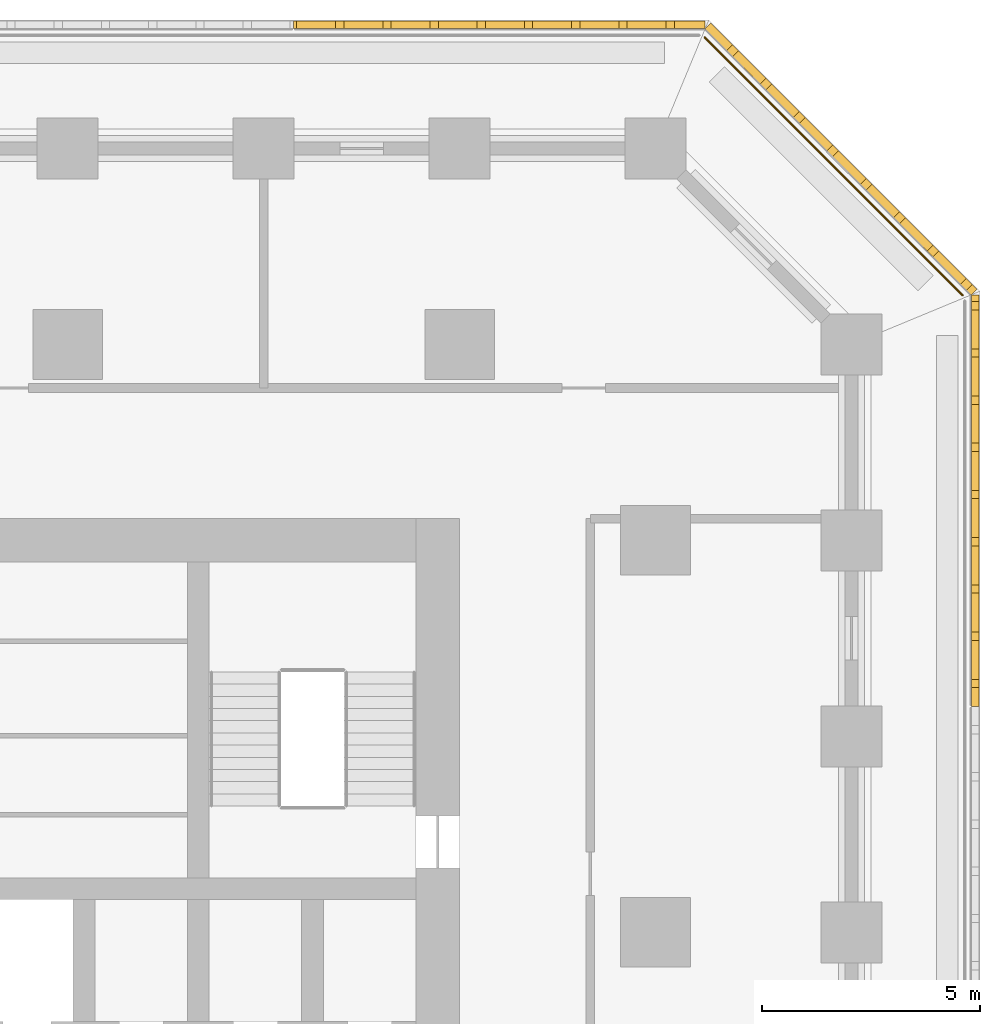
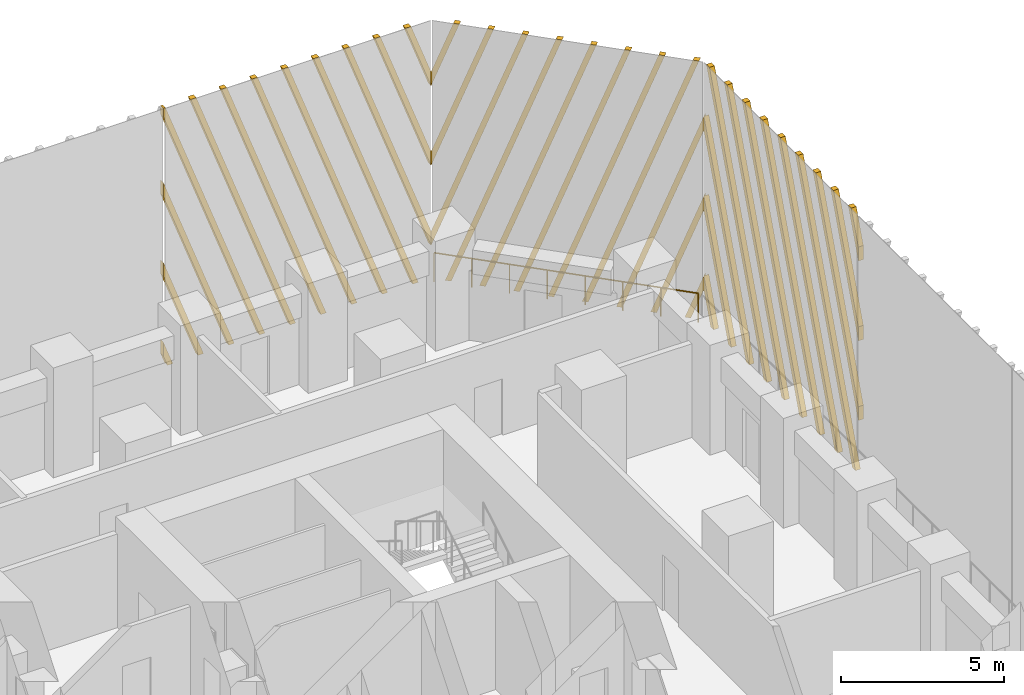
# One storey, part 11 of 12: 3 shading devices, 1 railing.
"""IFC4 building model written with IfcOpenShell, lengths in metres."""

from ifc_helpers import new_model, si_unit, direction, frame, origin, origin_2d, place, context, subcontext, project, spatial, polyline, circle, outline, extrude, source, transform, mapped, material, type_object, element, save


model = new_model("IFC4")

# Units and contexts
model_context = context("Model", 3, precision=1e-05, world=origin(), true_north=direction((0.0, 1.0)))
body_context = subcontext(model_context, "Body", "Model", "MODEL_VIEW")
ifc_project = project(units=[si_unit("LENGTHUNIT", "METRE"), si_unit("AREAUNIT", "SQUARE_METRE"), si_unit("VOLUMEUNIT", "CUBIC_METRE"), si_unit("PLANEANGLEUNIT", "RADIAN"), si_unit("MASSUNIT", "GRAM", prefix="KILO")], contexts=[model_context])

# Site, building, storey
site_placement = place(None, origin())
site = spatial("IfcSite", under=ifc_project, at=site_placement, CompositionType="ELEMENT")
building_placement = place(site_placement, origin())
building = spatial("IfcBuilding", under=site, at=building_placement, Name="Corbel Stack Research Tower", CompositionType="ELEMENT")
storey_placement = place(building_placement, frame((0.0, 0.0, 31.800048828125)))
storey = spatial("IfcBuildingStorey", under=building, at=storey_placement, Name="L07", CompositionType="ELEMENT", Elevation=31.800048828125)

# Railing
ifc_material_1 = material(Name="Powder-coated steel guard", Category="steel")
railing_type = type_object("IfcRailingType", Name="Steel and glass guard 1100", PredefinedType="GUARDRAIL", material=ifc_material_1)
railing_placement = place(storey_placement, frame((29.54931640625, 23.627685546875, 0.0)))
element("IfcRailing", 1, at=railing_placement, inside=storey, type_object=railing_type, Name="Loggia guard L07 NE", PredefinedType="GUARDRAIL", context=body_context, shape_type="SweptSolid", body=[
    extrude(circle(Radius=0.02392578125, at=origin_2d()), frame((0.0, 0.0, 1.076171875), z_axis=(-0.707106781187, 0.707106781187, 0.0), x_axis=(-0.707106781187, -0.707106781187, 0.0)), (0.0, 0.0, 1.0), 8.37451171875),
    extrude(circle(Radius=0.02099609375, at=origin_2d()), origin(), (0.0, 0.0, 1.0), 1.052001953125),
    extrude(circle(Radius=0.02099609375, at=origin_2d()), frame((-0.845947265625, 0.845947265625, 0.0)), (0.0, 0.0, 1.0), 1.052001953125),
    extrude(circle(Radius=0.02099609375, at=origin_2d()), frame((-1.69189453125, 1.69189453125, 0.0)), (0.0, 0.0, 1.0), 1.052001953125),
    extrude(circle(Radius=0.02099609375, at=origin_2d()), frame((-2.537841796875, 2.537841796875, 0.0)), (0.0, 0.0, 1.0), 1.052001953125),
    extrude(circle(Radius=0.02099609375, at=origin_2d()), frame((-3.3837890625, 3.3837890625, 0.0)), (0.0, 0.0, 1.0), 1.052001953125),
    extrude(circle(Radius=0.02099609375, at=origin_2d()), frame((-4.229736328125, 4.229736328125, 0.0)), (0.0, 0.0, 1.0), 1.052001953125),
    extrude(circle(Radius=0.02099609375, at=origin_2d()), frame((-5.07568359375, 5.07568359375, 0.0)), (0.0, 0.0, 1.0), 1.052001953125),
    extrude(circle(Radius=0.02099609375, at=origin_2d()), frame((-5.921630859375, 5.921630859375, 0.0)), (0.0, 0.0, 1.0), 1.052001953125),
])

# Shading devices
ifc_material_2 = material(Name="Precast terracotta", Category="masonry")
shading_device_type = type_object("IfcShadingDeviceType", Name="Terracotta screen panel", PredefinedType="USERDEFINED", material=ifc_material_2)
shared_shape_1 = source(origin(), body_context, "Body", "SweptSolid", [
    extrude(outline(polyline([(0.62451171875, 9.64990234375), (0.4345703125, 9.64990234375), (0.0, 8.456298828125), (0.0, 7.93408203125), (0.62451171875, 9.64990234375)])), frame((0.0, 0.0, 0.0), z_axis=(0.0, -1.0, 0.0), x_axis=(1.0, 0.0, 0.0)), (0.0, 0.0, 1.0), 0.179931640625),
    extrude(outline(polyline([(1.708984375, 9.64990234375), (1.51904296875, 9.64990234375), (0.0, 5.476318359375), (0.0, 4.9541015625), (1.708984375, 9.64990234375)])), frame((0.0, 0.0, 0.0), z_axis=(0.0, -1.0, 0.0), x_axis=(1.0, 0.0, 0.0)), (0.0, 0.0, 1.0), 0.179931640625),
    extrude(outline(polyline([(2.793701171875, 9.64990234375), (2.603759765625, 9.64990234375), (0.0, 2.49609375), (0.0, 1.97412109375), (2.793701171875, 9.64990234375)])), frame((0.0, 0.0, 0.0), z_axis=(0.0, -1.0, 0.0), x_axis=(1.0, 0.0, 0.0)), (0.0, 0.0, 1.0), 0.179931640625),
    extrude(outline(polyline([(0.3662109375, 0.0), (3.87841796875, 9.64990234375), (3.6884765625, 9.64990234375), (0.17626953125, 0.0), (0.3662109375, 0.0)])), frame((0.0, 0.0, 0.0), z_axis=(0.0, -1.0, 0.0), x_axis=(1.0, 0.0, 0.0)), (0.0, 0.0, 1.0), 0.179931640625),
    extrude(outline(polyline([(1.45068359375, 0.0), (4.963134765625, 9.64990234375), (4.773193359375, 9.64990234375), (1.2607421875, 0.0), (1.45068359375, 0.0)])), frame((0.0, 0.0, 0.0), z_axis=(0.0, -1.0, 0.0), x_axis=(1.0, 0.0, 0.0)), (0.0, 0.0, 1.0), 0.179931640625),
    extrude(outline(polyline([(2.535400390625, 0.0), (6.0478515625, 9.64990234375), (5.85791015625, 9.64990234375), (2.345458984375, 0.0), (2.535400390625, 0.0)])), frame((0.0, 0.0, 0.0), z_axis=(0.0, -1.0, 0.0), x_axis=(1.0, 0.0, 0.0)), (0.0, 0.0, 1.0), 0.179931640625),
    extrude(outline(polyline([(3.6201171875, 0.0), (7.132568359375, 9.64990234375), (6.9423828125, 9.64990234375), (3.43017578125, 0.0), (3.6201171875, 0.0)])), frame((0.0, 0.0, 0.0), z_axis=(0.0, -1.0, 0.0), x_axis=(1.0, 0.0, 0.0)), (0.0, 0.0, 1.0), 0.179931640625),
    extrude(outline(polyline([(4.704833984375, 0.0), (8.217041015625, 9.64990234375), (8.027099609375, 9.64990234375), (4.514892578125, 0.0), (4.704833984375, 0.0)])), frame((0.0, 0.0, 0.0), z_axis=(0.0, -1.0, 0.0), x_axis=(1.0, 0.0, 0.0)), (0.0, 0.0, 1.0), 0.179931640625),
    extrude(outline(polyline([(5.78955078125, 0.0), (9.3017578125, 9.64990234375), (9.11181640625, 9.64990234375), (5.599609375, 0.0), (5.78955078125, 0.0)])), frame((0.0, 0.0, 0.0), z_axis=(0.0, -1.0, 0.0), x_axis=(1.0, 0.0, 0.0)), (0.0, 0.0, 1.0), 0.179931640625),
    extrude(outline(polyline([(6.874267578125, 0.0), (9.45556640625, 7.092529296875), (9.45556640625, 7.614501953125), (6.68408203125, 0.0), (6.874267578125, 0.0)])), frame((0.0, 0.0, 0.0), z_axis=(0.0, -1.0, 0.0), x_axis=(1.0, 0.0, 0.0)), (0.0, 0.0, 1.0), 0.179931640625),
    extrude(outline(polyline([(7.958740234375, 0.0), (9.45556640625, 4.1123046875), (9.45556640625, 4.634521484375), (7.768798828125, 0.0), (7.958740234375, 0.0)])), frame((0.0, 0.0, 0.0), z_axis=(0.0, -1.0, 0.0), x_axis=(1.0, 0.0, 0.0)), (0.0, 0.0, 1.0), 0.179931640625),
    extrude(outline(polyline([(9.04345703125, 0.0), (9.45556640625, 1.13232421875), (9.45556640625, 1.654296875), (8.853515625, 0.0), (9.04345703125, 0.0)])), frame((0.0, 0.0, 0.0), z_axis=(0.0, -1.0, 0.0), x_axis=(1.0, 0.0, 0.0)), (0.0, 0.0, 1.0), 0.179931640625),
])
shading_device_1_placement = place(storey_placement, frame((29.75, 14.18359375, 0.0), z_axis=(0.0, 0.0, 1.0), x_axis=(0.0, 1.0, 0.0)))
element("IfcShadingDevice", 2, at=shading_device_1_placement, inside=storey, type_object=shading_device_type, Name="Terracotta screen L07 E5", ObjectType="SCREEN", PredefinedType="USERDEFINED", context=body_context, shape_type="MappedRepresentation", body=[
    mapped(shared_shape_1, transform((0.0, 0.0, 0.0))),
])
shared_shape_2 = source(origin(), body_context, "Body", "SweptSolid", [
    extrude(outline(polyline([(0.60205078125, 0.0), (0.0, 1.654296875), (0.0, 1.13232421875), (0.412109375, 0.0), (0.60205078125, 0.0)])), frame((0.0, 0.0, 0.0), z_axis=(0.0, -1.0, 0.0), x_axis=(1.0, 0.0, 0.0)), (0.0, 0.0, 1.0), 0.179931640625),
    extrude(outline(polyline([(1.686767578125, 0.0), (0.0, 4.634521484375), (0.0, 4.1123046875), (1.496826171875, 0.0), (1.686767578125, 0.0)])), frame((0.0, 0.0, 0.0), z_axis=(0.0, -1.0, 0.0), x_axis=(1.0, 0.0, 0.0)), (0.0, 0.0, 1.0), 0.179931640625),
    extrude(outline(polyline([(2.771484375, 0.0), (0.0, 7.614501953125), (0.0, 7.092529296875), (2.58154296875, 0.0), (2.771484375, 0.0)])), frame((0.0, 0.0, 0.0), z_axis=(0.0, -1.0, 0.0), x_axis=(1.0, 0.0, 0.0)), (0.0, 0.0, 1.0), 0.179931640625),
    extrude(outline(polyline([(3.856201171875, 0.0), (0.34375, 9.64990234375), (0.15380859375, 9.64990234375), (3.666015625, 0.0), (3.856201171875, 0.0)])), frame((0.0, 0.0, 0.0), z_axis=(0.0, -1.0, 0.0), x_axis=(1.0, 0.0, 0.0)), (0.0, 0.0, 1.0), 0.179931640625),
    extrude(outline(polyline([(4.94091796875, 0.0), (1.428466796875, 9.64990234375), (1.238525390625, 9.64990234375), (4.750732421875, 0.0), (4.94091796875, 0.0)])), frame((0.0, 0.0, 0.0), z_axis=(0.0, -1.0, 0.0), x_axis=(1.0, 0.0, 0.0)), (0.0, 0.0, 1.0), 0.179931640625),
    extrude(outline(polyline([(6.025390625, 0.0), (2.51318359375, 9.64990234375), (2.3232421875, 9.64990234375), (5.83544921875, 0.0), (6.025390625, 0.0)])), frame((0.0, 0.0, 0.0), z_axis=(0.0, -1.0, 0.0), x_axis=(1.0, 0.0, 0.0)), (0.0, 0.0, 1.0), 0.179931640625),
    extrude(outline(polyline([(7.110107421875, 0.0), (3.597900390625, 9.64990234375), (3.40771484375, 9.64990234375), (6.920166015625, 0.0), (7.110107421875, 0.0)])), frame((0.0, 0.0, 0.0), z_axis=(0.0, -1.0, 0.0), x_axis=(1.0, 0.0, 0.0)), (0.0, 0.0, 1.0), 0.179931640625),
    extrude(outline(polyline([(8.19482421875, 0.0), (4.6826171875, 9.64990234375), (4.492431640625, 9.64990234375), (8.0048828125, 0.0), (8.19482421875, 0.0)])), frame((0.0, 0.0, 0.0), z_axis=(0.0, -1.0, 0.0), x_axis=(1.0, 0.0, 0.0)), (0.0, 0.0, 1.0), 0.179931640625),
    extrude(outline(polyline([(5.76708984375, 9.64990234375), (5.5771484375, 9.64990234375), (8.64208984375, 1.22900390625), (8.64208984375, 1.751220703125), (5.76708984375, 9.64990234375)])), frame((0.0, 0.0, 0.0), z_axis=(0.0, -1.0, 0.0), x_axis=(1.0, 0.0, 0.0)), (0.0, 0.0, 1.0), 0.179931640625),
    extrude(outline(polyline([(6.851806640625, 9.64990234375), (6.661865234375, 9.64990234375), (8.64208984375, 4.208984375), (8.64208984375, 4.731201171875), (6.851806640625, 9.64990234375)])), frame((0.0, 0.0, 0.0), z_axis=(0.0, -1.0, 0.0), x_axis=(1.0, 0.0, 0.0)), (0.0, 0.0, 1.0), 0.179931640625),
    extrude(outline(polyline([(7.9365234375, 9.64990234375), (7.74658203125, 9.64990234375), (8.64208984375, 7.189208984375), (8.64208984375, 7.711181640625), (7.9365234375, 9.64990234375)])), frame((0.0, 0.0, 0.0), z_axis=(0.0, -1.0, 0.0), x_axis=(1.0, 0.0, 0.0)), (0.0, 0.0, 1.0), 0.179931640625),
])
shading_device_2_placement = place(storey_placement, frame((29.75, 23.63916015625, 0.0), z_axis=(0.0, 0.0, 1.0), x_axis=(-0.707106781187, 0.707106781187, 0.0)))
element("IfcShadingDevice", 3, at=shading_device_2_placement, inside=storey, type_object=shading_device_type, Name="Terracotta screen L07 NE1", ObjectType="SCREEN", PredefinedType="USERDEFINED", context=body_context, shape_type="MappedRepresentation", body=[
    mapped(shared_shape_2, transform((0.0, 0.0, 0.0))),
])
shared_shape_3 = source(origin(), body_context, "Body", "SweptSolid", [
    extrude(outline(polyline([(0.8955078125, 9.64990234375), (0.70556640625, 9.64990234375), (0.0, 7.711181640625), (0.0, 7.189208984375), (0.8955078125, 9.64990234375)])), frame((0.0, 0.0, 0.0), z_axis=(0.0, -1.0, 0.0), x_axis=(1.0, 0.0, 0.0)), (0.0, 0.0, 1.0), 0.179931640625),
    extrude(outline(polyline([(1.980224609375, 9.64990234375), (1.790283203125, 9.64990234375), (0.0, 4.731201171875), (0.0, 4.208984375), (1.980224609375, 9.64990234375)])), frame((0.0, 0.0, 0.0), z_axis=(0.0, -1.0, 0.0), x_axis=(1.0, 0.0, 0.0)), (0.0, 0.0, 1.0), 0.179931640625),
    extrude(outline(polyline([(3.06494140625, 9.64990234375), (2.875, 9.64990234375), (0.0, 1.751220703125), (0.0, 1.22900390625), (3.06494140625, 9.64990234375)])), frame((0.0, 0.0, 0.0), z_axis=(0.0, -1.0, 0.0), x_axis=(1.0, 0.0, 0.0)), (0.0, 0.0, 1.0), 0.179931640625),
    extrude(outline(polyline([(0.63720703125, 0.0), (4.149658203125, 9.64990234375), (3.959716796875, 9.64990234375), (0.447265625, 0.0), (0.63720703125, 0.0)])), frame((0.0, 0.0, 0.0), z_axis=(0.0, -1.0, 0.0), x_axis=(1.0, 0.0, 0.0)), (0.0, 0.0, 1.0), 0.179931640625),
    extrude(outline(polyline([(1.721923828125, 0.0), (5.234375, 9.64990234375), (5.044189453125, 9.64990234375), (1.531982421875, 0.0), (1.721923828125, 0.0)])), frame((0.0, 0.0, 0.0), z_axis=(0.0, -1.0, 0.0), x_axis=(1.0, 0.0, 0.0)), (0.0, 0.0, 1.0), 0.179931640625),
    extrude(outline(polyline([(2.806640625, 0.0), (6.319091796875, 9.64990234375), (6.12890625, 9.64990234375), (2.61669921875, 0.0), (2.806640625, 0.0)])), frame((0.0, 0.0, 0.0), z_axis=(0.0, -1.0, 0.0), x_axis=(1.0, 0.0, 0.0)), (0.0, 0.0, 1.0), 0.179931640625),
    extrude(outline(polyline([(3.891357421875, 0.0), (7.403564453125, 9.64990234375), (7.213623046875, 9.64990234375), (3.701416015625, 0.0), (3.891357421875, 0.0)])), frame((0.0, 0.0, 0.0), z_axis=(0.0, -1.0, 0.0), x_axis=(1.0, 0.0, 0.0)), (0.0, 0.0, 1.0), 0.179931640625),
    extrude(outline(polyline([(4.97607421875, 0.0), (8.48828125, 9.64990234375), (8.29833984375, 9.64990234375), (4.785888671875, 0.0), (4.97607421875, 0.0)])), frame((0.0, 0.0, 0.0), z_axis=(0.0, -1.0, 0.0), x_axis=(1.0, 0.0, 0.0)), (0.0, 0.0, 1.0), 0.179931640625),
    extrude(outline(polyline([(6.060791015625, 0.0), (9.45556640625, 9.32763671875), (9.45556640625, 9.64990234375), (9.383056640625, 9.64990234375), (5.87060546875, 0.0), (6.060791015625, 0.0)])), frame((0.0, 0.0, 0.0), z_axis=(0.0, -1.0, 0.0), x_axis=(1.0, 0.0, 0.0)), (0.0, 0.0, 1.0), 0.179931640625),
    extrude(outline(polyline([(7.145263671875, 0.0), (9.45556640625, 6.347412109375), (9.45556640625, 6.869384765625), (6.955322265625, 0.0), (7.145263671875, 0.0)])), frame((0.0, 0.0, 0.0), z_axis=(0.0, -1.0, 0.0), x_axis=(1.0, 0.0, 0.0)), (0.0, 0.0, 1.0), 0.179931640625),
    extrude(outline(polyline([(8.22998046875, 0.0), (9.45556640625, 3.367431640625), (9.45556640625, 3.889404296875), (8.0400390625, 0.0), (8.22998046875, 0.0)])), frame((0.0, 0.0, 0.0), z_axis=(0.0, -1.0, 0.0), x_axis=(1.0, 0.0, 0.0)), (0.0, 0.0, 1.0), 0.179931640625),
    extrude(outline(polyline([(9.314697265625, 0.0), (9.45556640625, 0.38720703125), (9.45556640625, 0.9091796875), (9.124755859375, 0.0), (9.314697265625, 0.0)])), frame((0.0, 0.0, 0.0), z_axis=(0.0, -1.0, 0.0), x_axis=(1.0, 0.0, 0.0)), (0.0, 0.0, 1.0), 0.179931640625),
])
shading_device_3_placement = place(storey_placement, frame((23.63916015625, 29.75, 0.0), z_axis=(0.0, 0.0, 1.0), x_axis=(-1.0, 0.0, 0.0)))
element("IfcShadingDevice", 4, at=shading_device_3_placement, inside=storey, type_object=shading_device_type, Name="Terracotta screen L07 N1", ObjectType="SCREEN", PredefinedType="USERDEFINED", context=body_context, shape_type="MappedRepresentation", body=[
    mapped(shared_shape_3, transform((0.0, 0.0, 0.0))),
])

save(model, "model.ifc")
